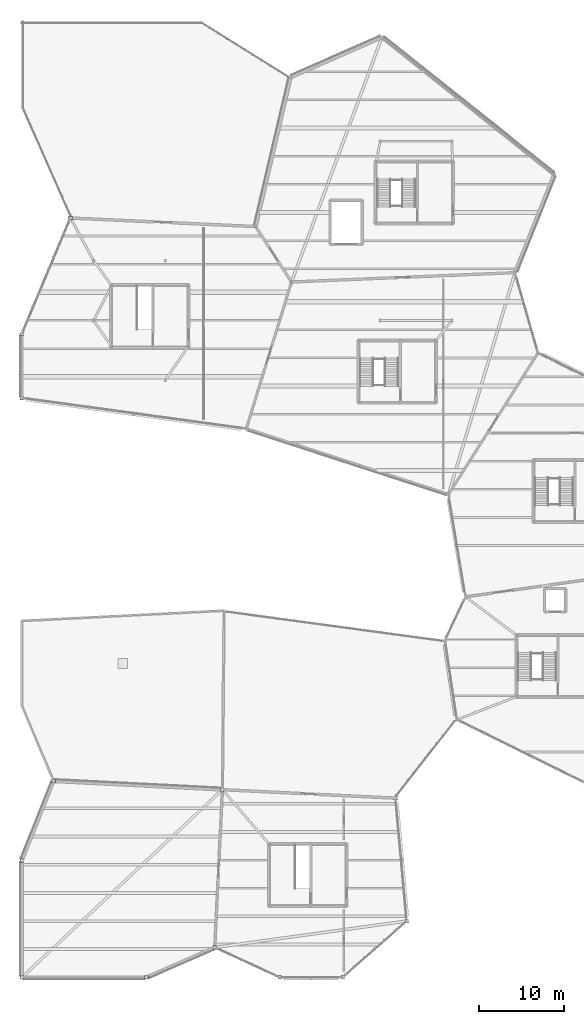
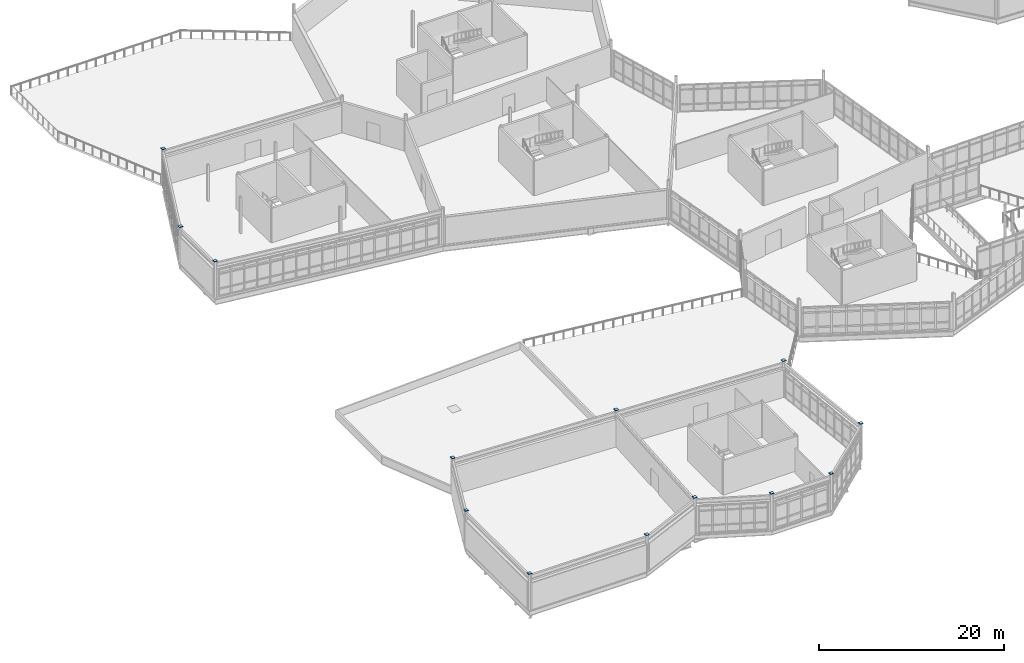
# One storey, part 84 of 114: 13 plates.
"""IFC4 building model written with IfcOpenShell, lengths in metres."""

from ifc_helpers import new_model, si_unit, direction, frame, origin, origin_2d, place, context, subcontext, project, spatial, rectangle, extrude, material, layer, layer_set, type_object, element, save


model = new_model("IFC4")

# Units and contexts
model_context = context("Model", 3, precision=1e-05, world=origin(), true_north=direction((0.0, 1.0)))
body_context = subcontext(model_context, "Body", "Model", "MODEL_VIEW")
ifc_project = project(units=[si_unit("LENGTHUNIT", "METRE"), si_unit("AREAUNIT", "SQUARE_METRE"), si_unit("VOLUMEUNIT", "CUBIC_METRE"), si_unit("PLANEANGLEUNIT", "RADIAN"), si_unit("MASSUNIT", "GRAM", prefix="KILO")], contexts=[model_context])

# Site, building, storey
site_placement = place(None, origin())
site = spatial("IfcSite", under=ifc_project, at=site_placement, CompositionType="ELEMENT")
building_placement = place(site_placement, origin())
building = spatial("IfcBuilding", under=site, at=building_placement, Name="Tameran Prism Museum", CompositionType="ELEMENT")
storey_placement = place(building_placement, frame((0.0, 0.0, 10.199951171875)))
storey = spatial("IfcBuildingStorey", under=building, at=storey_placement, Name="L02", CompositionType="ELEMENT", Elevation=10.199951171875)

# Plates
ifc_material = material(Name="Steel Grade 350 (350 MPa)", Category="steel")
ifc_layer = layer(ifc_material, 0.02001953125)
ifc_layer_set = layer_set([ifc_layer])
plate_type = type_object("IfcPlateType", Name="PL-GUS-20", PredefinedType="USERDEFINED", material=ifc_layer_set)
for number, where, z_axis, x_axis, name in (
    (1, (0.0, 0.0, 4.800048828125), (0.0, 0.0, 1.0), (1.0, 0.0, 0.0), "Hollow Column End Cap Plate CC-CV-01"),
    (2, (0.0, 13.699951171875, 4.800048828125), (0.0, 0.0, 1.0), (1.0, 0.0, 0.0), "Hollow Column End Cap Plate CC-CV-02"),
    (3, (0.0, 67.89990234375, 4.800048828125), (0.0, 0.0, 1.0), (1.0, 0.0, 0.0), "Hollow Column End Cap Plate CC-CV-05"),
    (4, (0.0, 75.39990234375, 4.800048828125), (0.0, 0.0, 1.0), (1.0, 0.0, 0.0), "Hollow Column End Cap Plate CC-CV-06"),
    (5, (3.699951171875, 23.0, 4.800048828125), (0.0, 0.0, 1.0), (1.0, 0.0, 0.0), "Hollow Column End Cap Plate CC-CV-09"),
    (6, (5.699951171875, 89.0, 4.800048828125), (0.0, 0.0, 1.0), (1.0, 0.0, 0.0), "Hollow Column End Cap Plate CC-CV-10"),
    (7, (14.60009765625, 0.0, 4.800048828125), (0.0, 0.0, 1.0), (1.0, 0.0, 0.0), "Hollow Column End Cap Plate CC-CV-11"),
    (8, (22.60009765625, 3.5, 4.800048828125), (0.0, 0.0, 1.0), (1.0, 0.0, 0.0), "Hollow Column End Cap Plate CC-CV-13"),
    (9, (23.5, 22.0, 4.800048828125), (0.0, 0.0, 1.0), (1.0, 0.0, 0.0), "Hollow Column End Cap Plate CC-CV-14"),
    (10, (30.199951171875, 0.0, 4.800048828125), (0.0, 0.0, 1.0), (1.0, 0.0, 0.0), "Hollow Column End Cap Plate CC-CV-18"),
    (11, (37.60009765625, 0.0, 4.800048828125), (0.0, 0.0, 1.0), (1.0, 0.0, 0.0), "Hollow Column End Cap Plate CC-CV-21"),
    (12, (43.800048828125, 21.0, 4.800048828125), (0.0, 0.0, 1.0), (1.0, 0.0, 0.0), "Hollow Column End Cap Plate CC-CV-23"),
    (13, (45.10009765625, 6.60009765625, 4.800048828125), (0.0, 0.0, 1.0), (1.0, 0.0, 0.0), "Hollow Column End Cap Plate CC-CV-24"),
):
    element("IfcPlate", number, at=place(storey_placement, frame(where, z_axis=z_axis, x_axis=x_axis)), inside=storey, type_object=plate_type, Name=name, ObjectType="GUSSET PLATE", PredefinedType="USERDEFINED", context=body_context, shape_type="SweptSolid", body=[
        extrude(rectangle(XDim=0.419921875, YDim=0.419921875, at=origin_2d()), origin(), (0.0, 0.0, 1.0), 0.02001953125),
    ])

save(model, "model.ifc")
